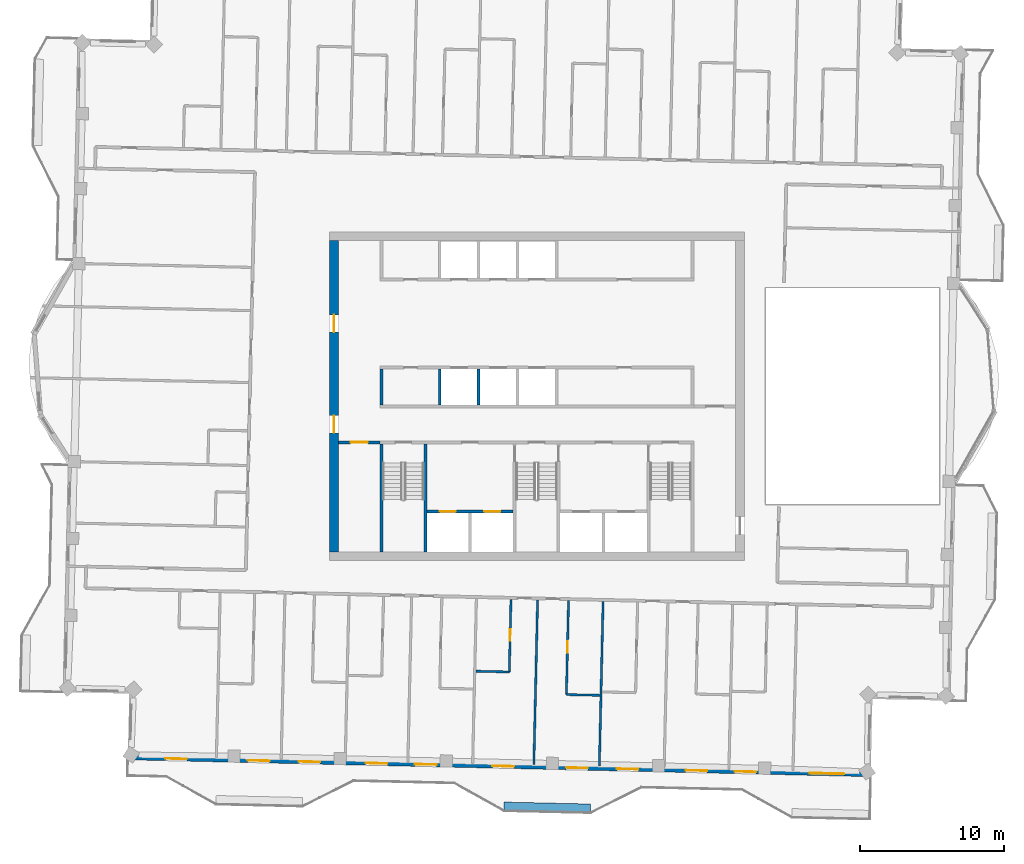
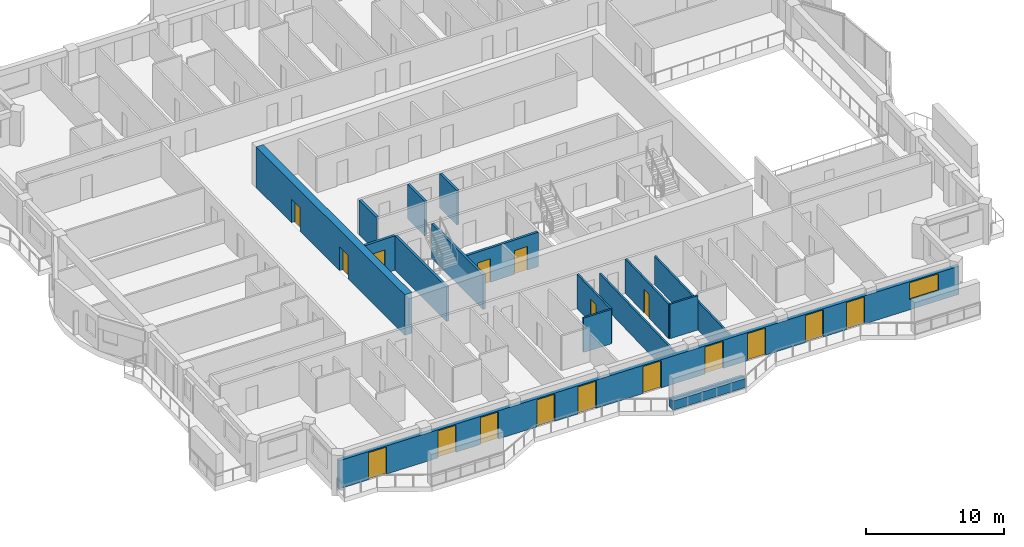
# One storey, part 5 of 15: 17 doors, 16 walls, 1 window, 18 openings.
"""IFC4 building model written with IfcOpenShell, lengths in metres."""

from ifc_helpers import new_model, si_unit, direction, frame, frame_2d, origin, place, context, subcontext, project, spatial, rectangle, extrude, material, layer, layer_set, type_object, element, fill, save


model = new_model("IFC4")

# Units and contexts
model_context = context("Model", 3, precision=1e-05, world=origin(), true_north=direction((0.0, 1.0)))
body_context = subcontext(model_context, "Body", "Model", "MODEL_VIEW")
ifc_project = project(units=[si_unit("LENGTHUNIT", "METRE"), si_unit("AREAUNIT", "SQUARE_METRE"), si_unit("VOLUMEUNIT", "CUBIC_METRE"), si_unit("PLANEANGLEUNIT", "RADIAN"), si_unit("MASSUNIT", "GRAM", prefix="KILO")], contexts=[model_context])

# Site, building, storey
site_placement = place(None, origin())
site = spatial("IfcSite", under=ifc_project, at=site_placement, CompositionType="ELEMENT")
building_placement = place(site_placement, origin())
building = spatial("IfcBuilding", under=site, at=building_placement, Name="Mangrove Gate Tower", CompositionType="ELEMENT")
storey_placement = place(building_placement, frame((0.0, 0.0, 316.89990234375)))
storey = spatial("IfcBuildingStorey", under=building, at=storey_placement, Name="L81", CompositionType="ELEMENT", Elevation=316.89990234375)

# Wall, opening, door
ifc_material_1 = material(Name="Concrete C32/40", Category="concrete")
ifc_layer_1 = layer(ifc_material_1, 0.199951171875)
ifc_layer_set_1 = layer_set([ifc_layer_1], Name="Core lobby wall 200 C32/40")
wall_type_1 = type_object("IfcWallType", Name="Core lobby wall 200 C32/40", PredefinedType="STANDARD", material=ifc_layer_set_1)
wall_1_placement = place(storey_placement, frame((-13.800048828125, -3.199951171875, 0.0), z_axis=(0.0, 0.0, 1.0), x_axis=(1.0, 0.0, 0.0)))
wall_1 = element("IfcWall", 1, at=wall_1_placement, inside=storey, type_object=wall_type_1, Name="WALL-L81-CORE-31", PredefinedType="STANDARD", context=body_context, shape_type="SweptSolid", body=[
    extrude(rectangle(XDim=2.900146484375, YDim=0.199951171875, at=frame_2d((1.4501953125, 0.0))), origin(), (0.0, 0.0, 1.0), 3.050048828125),
])
opening_1_placement = place(wall_1_placement, frame((0.85009765625, 0.0, 0.0)))
opening_1 = element("IfcOpeningElement", 2, at=opening_1_placement, cuts=wall_1, Name="Opening FL12", PredefinedType="OPENING", context=body_context, shape_type="SweptSolid", body=[
    extrude(rectangle(XDim=1.199951171875, YDim=2.10009765625, at=frame_2d((0.60009765625, 1.050048828125))), frame((0.0, 0.10986328125, 0.0), z_axis=(0.0, -1.0, 0.0), x_axis=(1.0, 0.0, 0.0)), (0.0, 0.0, 1.0), 0.219970703125),
])
ifc_material_2 = material(Name="Fire-rated steel door set", Category="steel")
door_type_1 = type_object("IfcDoorType", Name="Lobby door FD60 1200x2100", OperationType="SINGLE_SWING_LEFT", PredefinedType="DOOR", material=ifc_material_2)
door_1_placement = place(opening_1_placement, origin())
door_1 = element("IfcDoor", 3, at=door_1_placement, inside=storey, type_object=door_type_1, Name="Lobby door core corridor W partition", OperationType="SINGLE_SWING_LEFT", OverallHeight=2.10009765625, OverallWidth=1.199951171875, PredefinedType="DOOR", context=body_context, shape_type="SweptSolid", body=[
    extrude(rectangle(XDim=1.199951171875, YDim=2.10009765625, at=frame_2d((0.60009765625, 1.050048828125))), frame((0.0, 0.02490234375, 0.0), z_axis=(0.0, -1.0, 0.0), x_axis=(1.0, 0.0, 0.0)), (0.0, 0.0, 1.0), 0.050048828125),
])
fill(opening_1, door_1)

# Wall
ifc_material_3 = material(Name="Concrete C32/40", Category="concrete")
ifc_layer_2 = layer(ifc_material_3, 0.199951171875)
ifc_layer_set_2 = layer_set([ifc_layer_2], Name="Core room wall 200 C32/40")
wall_type_2 = type_object("IfcWallType", Name="Core room wall 200 C32/40", PredefinedType="STANDARD", material=ifc_layer_set_2)
wall_2_placement = place(storey_placement, frame((-10.800048828125, -0.60009765625, 0.0), z_axis=(0.0, 0.0, 1.0), x_axis=(0.0, 1.0, 0.0)))
element("IfcWall", 4, at=wall_2_placement, inside=storey, type_object=wall_type_2, Name="WALL-L81-CORE-19", PredefinedType="STANDARD", context=body_context, shape_type="SweptSolid", body=[
    extrude(rectangle(XDim=2.5, YDim=0.199951171875, at=frame_2d((1.25, 0.0))), origin(), (0.0, 0.0, 1.0), 3.050048828125),
])

# Wall, openings, doors
ifc_material_4 = material(Name="Concrete C50/60", Category="concrete")
ifc_layer_3 = layer(ifc_material_4, 0.199951171875)
ifc_layer_set_3 = layer_set([ifc_layer_3], Name="Core shaft wall 200 C50/60")
wall_type_3 = type_object("IfcWallType", Name="Core shaft wall 200 C50/60", PredefinedType="SHEAR", material=ifc_layer_set_3)
wall_3_placement = place(storey_placement, frame((-7.64990234375, -8.0, 0.0), z_axis=(0.0, 0.0, 1.0), x_axis=(1.0, 0.0, 0.0)))
wall_3 = element("IfcWall", 5, at=wall_3_placement, inside=storey, type_object=wall_type_3, Name="WALL-L81-CORE-15", PredefinedType="SHEAR", context=body_context, shape_type="SweptSolid", body=[
    extrude(rectangle(XDim=6.0, YDim=0.199951171875, at=frame_2d((3.0, 0.0))), origin(), (0.0, 0.0, 1.0), 3.050048828125),
])
opening_2_placement = place(wall_3_placement, frame((0.89990234375, 0.0, 0.0)))
opening_2 = element("IfcOpeningElement", 6, at=opening_2_placement, cuts=wall_3, Name="Opening LD", PredefinedType="OPENING", context=body_context, shape_type="SweptSolid", body=[
    extrude(rectangle(XDim=1.10009765625, YDim=2.10009765625, at=frame_2d((0.550048828125, 1.050048828125))), frame((0.0, 0.10986328125, 0.0), z_axis=(0.0, -1.0, 0.0), x_axis=(1.0, 0.0, 0.0)), (0.0, 0.0, 1.0), 0.219970703125),
])
opening_3_placement = place(wall_3_placement, frame((4.0, 0.0, 0.0)))
opening_3 = element("IfcOpeningElement", 7, at=opening_3_placement, cuts=wall_3, Name="Opening LD", PredefinedType="OPENING", context=body_context, shape_type="SweptSolid", body=[
    extrude(rectangle(XDim=1.10009765625, YDim=2.10009765625, at=frame_2d((0.550048828125, 1.050048828125))), frame((0.0, 0.10986328125, 0.0), z_axis=(0.0, -1.0, 0.0), x_axis=(1.0, 0.0, 0.0)), (0.0, 0.0, 1.0), 0.219970703125),
])
ifc_material_5 = material(Name="Stainless steel 316", Category="steel")
door_type_2 = type_object("IfcDoorType", Name="Lift landing door 1100x2100", OperationType="SLIDING_TO_LEFT", PredefinedType="DOOR", material=ifc_material_5)
door_2_placement = place(opening_2_placement, origin())
door_2 = element("IfcDoor", 8, at=door_2_placement, inside=storey, type_object=door_type_2, Name="Landing door LD SVL1", OperationType="SLIDING_TO_LEFT", OverallHeight=2.10009765625, OverallWidth=1.10009765625, PredefinedType="DOOR", context=body_context, shape_type="SweptSolid", body=[
    extrude(rectangle(XDim=1.10009765625, YDim=2.10009765625, at=frame_2d((0.550048828125, 1.050048828125))), frame((0.0, 0.02490234375, 0.0), z_axis=(0.0, -1.0, 0.0), x_axis=(1.0, 0.0, 0.0)), (0.0, 0.0, 1.0), 0.050048828125),
])
fill(opening_2, door_2)
door_3_placement = place(opening_3_placement, origin())
door_3 = element("IfcDoor", 9, at=door_3_placement, inside=storey, type_object=door_type_2, Name="Landing door LD SVL2", OperationType="SLIDING_TO_LEFT", OverallHeight=2.10009765625, OverallWidth=1.10009765625, PredefinedType="DOOR", context=body_context, shape_type="SweptSolid", body=[
    extrude(rectangle(XDim=1.10009765625, YDim=2.10009765625, at=frame_2d((0.550048828125, 1.050048828125))), frame((0.0, 0.02490234375, 0.0), z_axis=(0.0, -1.0, 0.0), x_axis=(1.0, 0.0, 0.0)), (0.0, 0.0, 1.0), 0.050048828125),
])
fill(opening_3, door_3)

# Walls
for number, where, z_axis, x_axis, name in (
    (10, (-6.75, -0.60009765625, 0.0), (0.0, 0.0, 1.0), (0.0, 1.0, 0.0), "WALL-L81-CORE-20"),
    (11, (-4.050048828125, -0.60009765625, 0.0), (0.0, 0.0, 1.0), (0.0, 1.0, 0.0), "WALL-L81-CORE-21"),
):
    element("IfcWall", number, at=place(storey_placement, frame(where, z_axis=z_axis, x_axis=x_axis)), inside=storey, type_object=wall_type_3, Name=name, PredefinedType="SHEAR", context=body_context, shape_type="SweptSolid", body=[
        extrude(rectangle(XDim=2.5, YDim=0.199951171875, at=frame_2d((1.25, 0.0))), origin(), (0.0, 0.0, 1.0), 3.050048828125),
    ])
ifc_material_6 = material(Name="Concrete C50/60", Category="concrete")
ifc_layer_4 = layer(ifc_material_6, 0.199951171875)
ifc_layer_set_4 = layer_set([ifc_layer_4], Name="Core stair wall 200 C50/60")
wall_type_4 = type_object("IfcWallType", Name="Core stair wall 200 C50/60", PredefinedType="SHEAR", material=ifc_layer_set_4)
for number, where, z_axis, x_axis, name in (
    (12, (-10.800048828125, -10.800048828125, 0.0), (0.0, 0.0, 1.0), (0.0, 1.0, 0.0), "WALL-L81-CORE-9"),
    (13, (-7.75, -10.800048828125, 0.0), (0.0, 0.0, 1.0), (0.0, 1.0, 0.0), "WALL-L81-CORE-10"),
):
    element("IfcWall", number, at=place(storey_placement, frame(where, z_axis=z_axis, x_axis=x_axis)), inside=storey, type_object=wall_type_4, Name=name, PredefinedType="SHEAR", context=body_context, shape_type="SweptSolid", body=[
        extrude(rectangle(XDim=7.5, YDim=0.199951171875, at=frame_2d((3.75, 0.0))), origin(), (0.0, 0.0, 1.0), 3.050048828125),
    ])

# Wall, openings, doors
ifc_material_7 = material(Name="Concrete C50/60", Category="concrete")
ifc_layer_5 = layer(ifc_material_7, 0.60009765625)
ifc_layer_set_5 = layer_set([ifc_layer_5], Name="Core wall 600 C50/60")
wall_type_5 = type_object("IfcWallType", Name="Core wall 600 C50/60", PredefinedType="SHEAR", material=ifc_layer_set_5)
wall_4_placement = place(storey_placement, frame((-14.10009765625, -10.800048828125, 0.0), z_axis=(0.0, 0.0, 1.0), x_axis=(0.0, 1.0, 0.0)))
wall_4 = element("IfcWall", 14, at=wall_4_placement, inside=storey, type_object=wall_type_5, Name="WALL-L81-CORE-3", PredefinedType="SHEAR", context=body_context, shape_type="SweptSolid", body=[
    extrude(rectangle(XDim=21.60009765625, YDim=0.60009765625, at=frame_2d((10.800048828125, 0.0))), origin(), (0.0, 0.0, 1.0), 3.60009765625),
])
opening_4_placement = place(wall_4_placement, frame((8.25, 0.0, 0.0)))
opening_4 = element("IfcOpeningElement", 15, at=opening_4_placement, cuts=wall_4, Name="Opening CD", PredefinedType="OPENING", context=body_context, shape_type="SweptSolid", body=[
    extrude(rectangle(XDim=1.199951171875, YDim=2.10009765625, at=frame_2d((0.60009765625, 1.050048828125))), frame((0.0, 0.31005859375, 0.0), z_axis=(0.0, -1.0, 0.0), x_axis=(1.0, 0.0, 0.0)), (0.0, 0.0, 1.0), 0.6201171875),
])
opening_5_placement = place(wall_4_placement, frame((15.25, 0.0, 0.0)))
opening_5 = element("IfcOpeningElement", 16, at=opening_5_placement, cuts=wall_4, Name="Opening CD", PredefinedType="OPENING", context=body_context, shape_type="SweptSolid", body=[
    extrude(rectangle(XDim=1.199951171875, YDim=2.10009765625, at=frame_2d((0.60009765625, 1.050048828125))), frame((0.0, 0.31005859375, 0.0), z_axis=(0.0, -1.0, 0.0), x_axis=(1.0, 0.0, 0.0)), (0.0, 0.0, 1.0), 0.6201171875),
])
ifc_material_8 = material(Name="Fire-rated steel door set", Category="steel")
door_type_3 = type_object("IfcDoorType", Name="Core ring door FD60 1200x2100", OperationType="DOUBLE_DOOR_SINGLE_SWING", PredefinedType="DOOR", material=ifc_material_8)
door_4_placement = place(opening_4_placement, origin())
door_4 = element("IfcDoor", 17, at=door_4_placement, inside=storey, type_object=door_type_3, Name="Core ring door W1", OperationType="DOUBLE_DOOR_SINGLE_SWING", OverallHeight=2.10009765625, OverallWidth=1.199951171875, PredefinedType="DOOR", context=body_context, shape_type="SweptSolid", body=[
    extrude(rectangle(XDim=1.199951171875, YDim=2.10009765625, at=frame_2d((0.60009765625, 1.050048828125))), frame((0.0, 0.02490234375, 0.0), z_axis=(0.0, -1.0, 0.0), x_axis=(1.0, 0.0, 0.0)), (0.0, 0.0, 1.0), 0.050048828125),
])
fill(opening_4, door_4)
door_5_placement = place(opening_5_placement, origin())
door_5 = element("IfcDoor", 18, at=door_5_placement, inside=storey, type_object=door_type_3, Name="Core ring door W2", OperationType="DOUBLE_DOOR_SINGLE_SWING", OverallHeight=2.10009765625, OverallWidth=1.199951171875, PredefinedType="DOOR", context=body_context, shape_type="SweptSolid", body=[
    extrude(rectangle(XDim=1.199951171875, YDim=2.10009765625, at=frame_2d((0.60009765625, 1.050048828125))), frame((0.0, 0.02490234375, 0.0), z_axis=(0.0, -1.0, 0.0), x_axis=(1.0, 0.0, 0.0)), (0.0, 0.0, 1.0), 0.050048828125),
])
fill(opening_5, door_5)

# Wall, openings, doors, window
ifc_material_9 = material(Name="Limestone", Category="masonry")
ifc_layer_6 = layer(ifc_material_9, 0.0400390625, Name="Limestone cladding")
ifc_material_10 = material(Name="Ventilated air gap")
ifc_layer_7 = layer(ifc_material_10, 0.0400390625, Name="Ventilated cavity")
ifc_material_11 = material(Name="Mineral wool insulation")
ifc_layer_8 = layer(ifc_material_11, 0.06005859375, Name="Insulation")
ifc_material_12 = material(Name="Breather membrane")
ifc_layer_9 = layer(ifc_material_12, 0.001953125, Name="Breather membrane")
ifc_material_13 = material(Name="Concrete C20/25 blockwork", Category="masonry")
ifc_layer_10 = layer(ifc_material_13, 0.14990234375, Name="Blockwork backing wall")
ifc_material_14 = material(Name="Gypsum plaster")
ifc_layer_11 = layer(ifc_material_14, 0.008056640625, Name="Internal plaster")
ifc_layer_set_6 = layer_set([ifc_layer_6, ifc_layer_7, ifc_layer_8, ifc_layer_9, ifc_layer_10, ifc_layer_11], Name="External wall 300 limestone cladding")
wall_type_6 = type_object("IfcWallType", Name="External wall 300 limestone cladding", PredefinedType="SOLIDWALL", material=ifc_layer_set_6)
wall_5_placement = place(storey_placement, frame((-28.263916015625, -25.10205078125, 0.0), z_axis=(0.0, 0.0, 1.0), x_axis=(0.999742520573, -0.022691244094, 0.0)))
wall_5 = element("IfcWall", 19, at=wall_5_placement, inside=storey, type_object=wall_type_6, Name="WALL-L81-S13", PredefinedType="SOLIDWALL", context=body_context, shape_type="SweptSolid", body=[
    extrude(rectangle(XDim=51.300048828125, YDim=0.300048828125, at=frame_2d((25.64990234375, 0.0))), origin(), (0.0, 0.0, 1.0), 2.5),
])
opening_6_placement = place(wall_5_placement, frame((2.455078125, 0.0, 0.0)))
opening_6 = element("IfcOpeningElement", 20, at=opening_6_placement, cuts=wall_5, Name="Opening BD1", PredefinedType="OPENING", context=body_context, shape_type="SweptSolid", body=[
    extrude(rectangle(XDim=1.5, YDim=2.39990234375, at=frame_2d((0.75, 1.199951171875))), frame((0.0, 0.159912109375, 0.0), z_axis=(0.0, -1.0, 0.0), x_axis=(1.0, 0.0, 0.0)), (0.0, 0.0, 1.0), 0.320068359375),
])
opening_7_placement = place(wall_5_placement, frame((8.197998046875, 0.0, 0.0)))
opening_7 = element("IfcOpeningElement", 21, at=opening_7_placement, cuts=wall_5, Name="Opening BD1", PredefinedType="OPENING", context=body_context, shape_type="SweptSolid", body=[
    extrude(rectangle(XDim=1.5, YDim=2.39990234375, at=frame_2d((0.75, 1.199951171875))), frame((0.0, 0.159912109375, 0.0), z_axis=(0.0, -1.0, 0.0), x_axis=(1.0, 0.0, 0.0)), (0.0, 0.0, 1.0), 0.320068359375),
])
opening_8_placement = place(wall_5_placement, frame((11.708984375, 0.0, 0.0)))
opening_8 = element("IfcOpeningElement", 22, at=opening_8_placement, cuts=wall_5, Name="Opening BD1", PredefinedType="OPENING", context=body_context, shape_type="SweptSolid", body=[
    extrude(rectangle(XDim=1.5, YDim=2.39990234375, at=frame_2d((0.75, 1.199951171875))), frame((0.0, 0.159912109375, 0.0), z_axis=(0.0, -1.0, 0.0), x_axis=(1.0, 0.0, 0.0)), (0.0, 0.0, 1.0), 0.320068359375),
])
opening_9_placement = place(wall_5_placement, frame((16.375, 0.0, 0.0)))
opening_9 = element("IfcOpeningElement", 23, at=opening_9_placement, cuts=wall_5, Name="Opening BD1", PredefinedType="OPENING", context=body_context, shape_type="SweptSolid", body=[
    extrude(rectangle(XDim=1.5, YDim=2.39990234375, at=frame_2d((0.75, 1.199951171875))), frame((0.0, 0.159912109375, 0.0), z_axis=(0.0, -1.0, 0.0), x_axis=(1.0, 0.0, 0.0)), (0.0, 0.0, 1.0), 0.320068359375),
])
opening_10_placement = place(wall_5_placement, frame((19.7939453125, 0.0, 0.0)))
opening_10 = element("IfcOpeningElement", 24, at=opening_10_placement, cuts=wall_5, Name="Opening BD1", PredefinedType="OPENING", context=body_context, shape_type="SweptSolid", body=[
    extrude(rectangle(XDim=1.5, YDim=2.39990234375, at=frame_2d((0.75, 1.199951171875))), frame((0.0, 0.159912109375, 0.0), z_axis=(0.0, -1.0, 0.0), x_axis=(1.0, 0.0, 0.0)), (0.0, 0.0, 1.0), 0.320068359375),
])
opening_11_placement = place(wall_5_placement, frame((25.175048828125, 0.0, 0.0)))
opening_11 = element("IfcOpeningElement", 25, at=opening_11_placement, cuts=wall_5, Name="Opening BD1", PredefinedType="OPENING", context=body_context, shape_type="SweptSolid", body=[
    extrude(rectangle(XDim=1.5, YDim=2.39990234375, at=frame_2d((0.75, 1.199951171875))), frame((0.0, 0.159912109375, 0.0), z_axis=(0.0, -1.0, 0.0), x_axis=(1.0, 0.0, 0.0)), (0.0, 0.0, 1.0), 0.320068359375),
])
opening_12_placement = place(wall_5_placement, frame((30.304931640625, 0.0, 0.0)))
opening_12 = element("IfcOpeningElement", 26, at=opening_12_placement, cuts=wall_5, Name="Opening BD1", PredefinedType="OPENING", context=body_context, shape_type="SweptSolid", body=[
    extrude(rectangle(XDim=1.5, YDim=2.39990234375, at=frame_2d((0.75, 1.199951171875))), frame((0.0, 0.159912109375, 0.0), z_axis=(0.0, -1.0, 0.0), x_axis=(1.0, 0.0, 0.0)), (0.0, 0.0, 1.0), 0.320068359375),
])
opening_13_placement = place(wall_5_placement, frame((33.81591796875, 0.0, 0.0)))
opening_13 = element("IfcOpeningElement", 27, at=opening_13_placement, cuts=wall_5, Name="Opening BD1", PredefinedType="OPENING", context=body_context, shape_type="SweptSolid", body=[
    extrude(rectangle(XDim=1.5, YDim=2.39990234375, at=frame_2d((0.75, 1.199951171875))), frame((0.0, 0.159912109375, 0.0), z_axis=(0.0, -1.0, 0.0), x_axis=(1.0, 0.0, 0.0)), (0.0, 0.0, 1.0), 0.320068359375),
])
opening_14_placement = place(wall_5_placement, frame((38.60009765625, 0.0, 0.0)))
opening_14 = element("IfcOpeningElement", 28, at=opening_14_placement, cuts=wall_5, Name="Opening BD1", PredefinedType="OPENING", context=body_context, shape_type="SweptSolid", body=[
    extrude(rectangle(XDim=1.5, YDim=2.39990234375, at=frame_2d((0.75, 1.199951171875))), frame((0.0, 0.159912109375, 0.0), z_axis=(0.0, -1.0, 0.0), x_axis=(1.0, 0.0, 0.0)), (0.0, 0.0, 1.0), 0.320068359375),
])
opening_15_placement = place(wall_5_placement, frame((42.001953125, 0.0, 0.0)))
opening_15 = element("IfcOpeningElement", 29, at=opening_15_placement, cuts=wall_5, Name="Opening BD1", PredefinedType="OPENING", context=body_context, shape_type="SweptSolid", body=[
    extrude(rectangle(XDim=1.5, YDim=2.39990234375, at=frame_2d((0.75, 1.199951171875))), frame((0.0, 0.159912109375, 0.0), z_axis=(0.0, -1.0, 0.0), x_axis=(1.0, 0.0, 0.0)), (0.0, 0.0, 1.0), 0.320068359375),
])
opening_16_placement = place(wall_5_placement, frame((47.22802734375, 0.0, 0.89990234375)))
opening_16 = element("IfcOpeningElement", 30, at=opening_16_placement, cuts=wall_5, Name="Opening W2", PredefinedType="OPENING", context=body_context, shape_type="SweptSolid", body=[
    extrude(rectangle(XDim=2.39990234375, YDim=1.5, at=frame_2d((1.199951171875, 0.75))), frame((0.0, 0.159912109375, 0.0), z_axis=(0.0, -1.0, 0.0), x_axis=(1.0, 0.0, 0.0)), (0.0, 0.0, 1.0), 0.320068359375),
])
ifc_material_15 = material(Name="Aluminium frame with laminated clear glass", Category="aluminium")
door_type_4 = type_object("IfcDoorType", Name="Balcony sliding door 1500x2400", OperationType="SLIDING_TO_LEFT", PredefinedType="DOOR", material=ifc_material_15)
door_6_placement = place(opening_6_placement, origin())
door_6 = element("IfcDoor", 31, at=door_6_placement, inside=storey, type_object=door_type_4, Name="DOOR-L81-S13-1", OperationType="SLIDING_TO_LEFT", OverallHeight=2.39990234375, OverallWidth=1.5, PredefinedType="DOOR", context=body_context, shape_type="SweptSolid", body=[
    extrude(rectangle(XDim=1.5, YDim=2.39990234375, at=frame_2d((0.75, 1.199951171875))), frame((0.0, 0.02490234375, 0.0), z_axis=(0.0, -1.0, 0.0), x_axis=(1.0, 0.0, 0.0)), (0.0, 0.0, 1.0), 0.050048828125),
])
fill(opening_6, door_6)
door_7_placement = place(opening_7_placement, origin())
door_7 = element("IfcDoor", 32, at=door_7_placement, inside=storey, type_object=door_type_4, Name="DOOR-L81-S13-2", OperationType="SLIDING_TO_LEFT", OverallHeight=2.39990234375, OverallWidth=1.5, PredefinedType="DOOR", context=body_context, shape_type="SweptSolid", body=[
    extrude(rectangle(XDim=1.5, YDim=2.39990234375, at=frame_2d((0.75, 1.199951171875))), frame((0.0, 0.02490234375, 0.0), z_axis=(0.0, -1.0, 0.0), x_axis=(1.0, 0.0, 0.0)), (0.0, 0.0, 1.0), 0.050048828125),
])
fill(opening_7, door_7)
door_8_placement = place(opening_8_placement, origin())
door_8 = element("IfcDoor", 33, at=door_8_placement, inside=storey, type_object=door_type_4, Name="DOOR-L81-S13-3", OperationType="SLIDING_TO_LEFT", OverallHeight=2.39990234375, OverallWidth=1.5, PredefinedType="DOOR", context=body_context, shape_type="SweptSolid", body=[
    extrude(rectangle(XDim=1.5, YDim=2.39990234375, at=frame_2d((0.75, 1.199951171875))), frame((0.0, 0.02490234375, 0.0), z_axis=(0.0, -1.0, 0.0), x_axis=(1.0, 0.0, 0.0)), (0.0, 0.0, 1.0), 0.050048828125),
])
fill(opening_8, door_8)
door_9_placement = place(opening_9_placement, origin())
door_9 = element("IfcDoor", 34, at=door_9_placement, inside=storey, type_object=door_type_4, Name="DOOR-L81-S13-4", OperationType="SLIDING_TO_LEFT", OverallHeight=2.39990234375, OverallWidth=1.5, PredefinedType="DOOR", context=body_context, shape_type="SweptSolid", body=[
    extrude(rectangle(XDim=1.5, YDim=2.39990234375, at=frame_2d((0.75, 1.199951171875))), frame((0.0, 0.02490234375, 0.0), z_axis=(0.0, -1.0, 0.0), x_axis=(1.0, 0.0, 0.0)), (0.0, 0.0, 1.0), 0.050048828125),
])
fill(opening_9, door_9)
door_10_placement = place(opening_10_placement, origin())
door_10 = element("IfcDoor", 35, at=door_10_placement, inside=storey, type_object=door_type_4, Name="DOOR-L81-S13-5", OperationType="SLIDING_TO_LEFT", OverallHeight=2.39990234375, OverallWidth=1.5, PredefinedType="DOOR", context=body_context, shape_type="SweptSolid", body=[
    extrude(rectangle(XDim=1.5, YDim=2.39990234375, at=frame_2d((0.75, 1.199951171875))), frame((0.0, 0.02490234375, 0.0), z_axis=(0.0, -1.0, 0.0), x_axis=(1.0, 0.0, 0.0)), (0.0, 0.0, 1.0), 0.050048828125),
])
fill(opening_10, door_10)
door_11_placement = place(opening_11_placement, origin())
door_11 = element("IfcDoor", 36, at=door_11_placement, inside=storey, type_object=door_type_4, Name="DOOR-L81-S13-6", OperationType="SLIDING_TO_LEFT", OverallHeight=2.39990234375, OverallWidth=1.5, PredefinedType="DOOR", context=body_context, shape_type="SweptSolid", body=[
    extrude(rectangle(XDim=1.5, YDim=2.39990234375, at=frame_2d((0.75, 1.199951171875))), frame((0.0, 0.02490234375, 0.0), z_axis=(0.0, -1.0, 0.0), x_axis=(1.0, 0.0, 0.0)), (0.0, 0.0, 1.0), 0.050048828125),
])
fill(opening_11, door_11)
door_12_placement = place(opening_12_placement, origin())
door_12 = element("IfcDoor", 37, at=door_12_placement, inside=storey, type_object=door_type_4, Name="DOOR-L81-S13-7", OperationType="SLIDING_TO_LEFT", OverallHeight=2.39990234375, OverallWidth=1.5, PredefinedType="DOOR", context=body_context, shape_type="SweptSolid", body=[
    extrude(rectangle(XDim=1.5, YDim=2.39990234375, at=frame_2d((0.75, 1.199951171875))), frame((0.0, 0.02490234375, 0.0), z_axis=(0.0, -1.0, 0.0), x_axis=(1.0, 0.0, 0.0)), (0.0, 0.0, 1.0), 0.050048828125),
])
fill(opening_12, door_12)
door_13_placement = place(opening_13_placement, origin())
door_13 = element("IfcDoor", 38, at=door_13_placement, inside=storey, type_object=door_type_4, Name="DOOR-L81-S13-8", OperationType="SLIDING_TO_LEFT", OverallHeight=2.39990234375, OverallWidth=1.5, PredefinedType="DOOR", context=body_context, shape_type="SweptSolid", body=[
    extrude(rectangle(XDim=1.5, YDim=2.39990234375, at=frame_2d((0.75, 1.199951171875))), frame((0.0, 0.02490234375, 0.0), z_axis=(0.0, -1.0, 0.0), x_axis=(1.0, 0.0, 0.0)), (0.0, 0.0, 1.0), 0.050048828125),
])
fill(opening_13, door_13)
door_14_placement = place(opening_14_placement, origin())
door_14 = element("IfcDoor", 39, at=door_14_placement, inside=storey, type_object=door_type_4, Name="DOOR-L81-S13-9", OperationType="SLIDING_TO_LEFT", OverallHeight=2.39990234375, OverallWidth=1.5, PredefinedType="DOOR", context=body_context, shape_type="SweptSolid", body=[
    extrude(rectangle(XDim=1.5, YDim=2.39990234375, at=frame_2d((0.75, 1.199951171875))), frame((0.0, 0.02490234375, 0.0), z_axis=(0.0, -1.0, 0.0), x_axis=(1.0, 0.0, 0.0)), (0.0, 0.0, 1.0), 0.050048828125),
])
fill(opening_14, door_14)
door_15_placement = place(opening_15_placement, origin())
door_15 = element("IfcDoor", 40, at=door_15_placement, inside=storey, type_object=door_type_4, Name="DOOR-L81-S13-10", OperationType="SLIDING_TO_LEFT", OverallHeight=2.39990234375, OverallWidth=1.5, PredefinedType="DOOR", context=body_context, shape_type="SweptSolid", body=[
    extrude(rectangle(XDim=1.5, YDim=2.39990234375, at=frame_2d((0.75, 1.199951171875))), frame((0.0, 0.02490234375, 0.0), z_axis=(0.0, -1.0, 0.0), x_axis=(1.0, 0.0, 0.0)), (0.0, 0.0, 1.0), 0.050048828125),
])
fill(opening_15, door_15)
ifc_material_16 = material(Name="Aluminium frame with double-glazed low-e glass", Category="aluminium")
window_type = type_object("IfcWindowType", Name="Corner room window 2400x1500", PartitioningType="DOUBLE_PANEL_VERTICAL", PredefinedType="WINDOW", material=ifc_material_16)
window_placement = place(opening_16_placement, origin())
window = element("IfcWindow", 41, at=window_placement, inside=storey, type_object=window_type, Name="WIN-L81-S13-11", OverallHeight=1.5, OverallWidth=2.39990234375, PartitioningType="DOUBLE_PANEL_VERTICAL", PredefinedType="WINDOW", context=body_context, shape_type="SweptSolid", body=[
    extrude(rectangle(XDim=2.39990234375, YDim=1.5, at=frame_2d((1.199951171875, 0.75))), frame((0.0, 0.030029296875, 0.0), z_axis=(0.0, -1.0, 0.0), x_axis=(1.0, 0.0, 0.0)), (0.0, 0.0, 1.0), 0.06005859375),
])
fill(opening_16, window)

# Walls
ifc_material_17 = material(Name="Gypsum board on steel stud, EI 60", Category="steel")
ifc_layer_12 = layer(ifc_material_17, 0.14990234375)
ifc_layer_set_7 = layer_set([ifc_layer_12], Name="Party wall 150 EI 60")
wall_type_7 = type_object("IfcWallType", Name="Party wall 150 EI 60", PredefinedType="PARTITIONING", material=ifc_layer_set_7)
for number, where, z_axis, x_axis, name in (
    (42, (-0.218017578125, -25.587890625, 0.0), (0.0, 0.0, 1.0), (0.022708812003, 0.999742121678, 0.0), "WALL-L81-006"),
    (43, (4.3310546875, -25.69189453125, 0.0), (0.0, 0.0, 1.0), (0.022708812003, 0.999742121678, 0.0), "WALL-L81-007"),
):
    element("IfcWall", number, at=place(storey_placement, frame(where, z_axis=z_axis, x_axis=x_axis)), inside=storey, type_object=wall_type_7, Name=name, PredefinedType="PARTITIONING", context=body_context, shape_type="SweptSolid", body=[
        extrude(rectangle(XDim=11.44970703125, YDim=0.14990234375, at=frame_2d((5.724853515625, 0.0))), origin(), (0.0, 0.0, 1.0), 2.5),
    ])
wall_6_placement = place(storey_placement, frame((2.04296875, -20.718017578125, 0.0), z_axis=(0.0, 0.0, 1.0), x_axis=(0.999740478815, -0.022781023197, 0.0)))
element("IfcWall", 44, at=wall_6_placement, inside=storey, type_object=wall_type_7, Name="WALL-L81-011", PredefinedType="PARTITIONING", context=body_context, shape_type="SweptSolid", body=[
    extrude(rectangle(XDim=2.325439453125, YDim=0.14990234375, at=frame_2d((1.16259765625, 0.0))), origin(), (0.0, 0.0, 1.0), 3.050048828125),
])

# Wall, opening, door
wall_7_placement = place(storey_placement, frame((2.04296875, -20.718017578125, 0.0), z_axis=(0.0, 0.0, 1.0), x_axis=(0.022807185318, 0.999739882318, 0.0)))
wall_7 = element("IfcWall", 45, at=wall_7_placement, inside=storey, type_object=wall_type_7, Name="WALL-L81-012", PredefinedType="PARTITIONING", context=body_context, shape_type="SweptSolid", body=[
    extrude(rectangle(XDim=6.52978515625, YDim=0.14990234375, at=frame_2d((3.264892578125, 0.0))), origin(), (0.0, 0.0, 1.0), 3.050048828125),
])
opening_17_placement = place(wall_7_placement, frame((2.9150390625, 0.0, 0.0)))
opening_17 = element("IfcOpeningElement", 46, at=opening_17_placement, cuts=wall_7, Name="Opening ED", PredefinedType="OPENING", context=body_context, shape_type="SweptSolid", body=[
    extrude(rectangle(XDim=0.800048828125, YDim=2.10009765625, at=frame_2d((0.39990234375, 1.050048828125))), frame((0.0, 0.0849609375, 0.0), z_axis=(0.0, -1.0, 0.0), x_axis=(1.0, 0.0, 0.0)), (0.0, 0.0, 1.0), 0.169921875),
])
ifc_material_18 = material(Name="Timber door leaf", Category="wood")
door_type_5 = type_object("IfcDoorType", Name="En-suite door 800", OperationType="SINGLE_SWING_LEFT", PredefinedType="DOOR", material=ifc_material_18)
door_16_placement = place(opening_17_placement, origin())
door_16 = element("IfcDoor", 47, at=door_16_placement, inside=storey, type_object=door_type_5, Name="DOOR-L81-ENS-c206", OperationType="SINGLE_SWING_RIGHT", OverallHeight=2.10009765625, OverallWidth=0.800048828125, PredefinedType="DOOR", context=body_context, shape_type="SweptSolid", body=[
    extrude(rectangle(XDim=0.800048828125, YDim=2.10009765625, at=frame_2d((0.39990234375, 1.050048828125))), frame((0.0, 0.02490234375, 0.0), z_axis=(0.0, -1.0, 0.0), x_axis=(1.0, 0.0, 0.0)), (0.0, 0.0, 1.0), 0.050048828125),
])
fill(opening_17, door_16)

# Wall
wall_8_placement = place(storey_placement, frame((-4.24609375, -19.094970703125, 0.0), z_axis=(0.0, 0.0, 1.0), x_axis=(0.999740260747, -0.02279059109, 0.0)))
element("IfcWall", 48, at=wall_8_placement, inside=storey, type_object=wall_type_7, Name="WALL-L81-027", PredefinedType="PARTITIONING", context=body_context, shape_type="SweptSolid", body=[
    extrude(rectangle(XDim=2.324462890625, YDim=0.14990234375, at=frame_2d((1.162109375, 0.0))), origin(), (0.0, 0.0, 1.0), 3.050048828125),
])

# Wall, opening, door
wall_9_placement = place(storey_placement, frame((-1.922119140625, -19.14794921875, 0.0), z_axis=(0.0, 0.0, 1.0), x_axis=(0.02281804195, 0.999739634586, 0.0)))
wall_9 = element("IfcWall", 49, at=wall_9_placement, inside=storey, type_object=wall_type_7, Name="WALL-L81-028", PredefinedType="PARTITIONING", context=body_context, shape_type="SweptSolid", body=[
    extrude(rectangle(XDim=5.050048828125, YDim=0.14990234375, at=frame_2d((2.52490234375, 0.0))), origin(), (0.0, 0.0, 1.0), 3.050048828125),
])
opening_18_placement = place(wall_9_placement, frame((2.175048828125, 0.0, 0.0)))
opening_18 = element("IfcOpeningElement", 50, at=opening_18_placement, cuts=wall_9, Name="Opening ED", PredefinedType="OPENING", context=body_context, shape_type="SweptSolid", body=[
    extrude(rectangle(XDim=0.800048828125, YDim=2.10009765625, at=frame_2d((0.39990234375, 1.050048828125))), frame((0.0, 0.0849609375, 0.0), z_axis=(0.0, -1.0, 0.0), x_axis=(1.0, 0.0, 0.0)), (0.0, 0.0, 1.0), 0.169921875),
])
door_17_placement = place(opening_18_placement, origin())
door_17 = element("IfcDoor", 51, at=door_17_placement, inside=storey, type_object=door_type_5, Name="DOOR-L81-ENS-c205", OperationType="SINGLE_SWING_LEFT", OverallHeight=2.10009765625, OverallWidth=0.800048828125, PredefinedType="DOOR", context=body_context, shape_type="SweptSolid", body=[
    extrude(rectangle(XDim=0.800048828125, YDim=2.10009765625, at=frame_2d((0.39990234375, 1.050048828125))), frame((0.0, 0.02490234375, 0.0), z_axis=(0.0, -1.0, 0.0), x_axis=(1.0, 0.0, 0.0)), (0.0, 0.0, 1.0), 0.050048828125),
])
fill(opening_18, door_17)

# Wall
ifc_material_19 = material(Name="Concrete C32/40", Category="concrete")
ifc_layer_13 = layer(ifc_material_19, 0.199951171875, Name="Planter trough wall")
ifc_material_20 = material(Name="Bituminous waterproofing membrane")
ifc_layer_14 = layer(ifc_material_20, 0.0048828125, Name="Waterproofing")
ifc_material_21 = material(Name="Drainage board and gravel")
ifc_layer_15 = layer(ifc_material_21, 0.044921875, Name="Drainage layer")
ifc_material_22 = material(Name="Planting soil")
ifc_layer_16 = layer(ifc_material_22, 0.300048828125, Name="Growing medium")
ifc_layer_set_8 = layer_set([ifc_layer_13, ifc_layer_14, ifc_layer_15, ifc_layer_16], Name="Planter wall 550 C32/40")
wall_type_8 = type_object("IfcWallType", Name="Planter wall 550 C32/40", PredefinedType="USERDEFINED", material=ifc_layer_set_8)
wall_10_placement = place(storey_placement, frame((-2.282958984375, -28.45703125, 0.0), z_axis=(0.0, 0.0, 1.0), x_axis=(0.999743094499, -0.022665943652, 0.0)))
element("IfcWall", 52, at=wall_10_placement, inside=storey, type_object=wall_type_8, Name="PLANTER L81 S1.1", ObjectType="PLANTER", PredefinedType="USERDEFINED", context=body_context, shape_type="SweptSolid", body=[
    extrude(rectangle(XDim=5.99951171875, YDim=0.550048828125, at=frame_2d((2.999755859375, 0.0))), origin(), (0.0, 0.0, 1.0), 0.800048828125),
])

save(model, "model.ifc")
